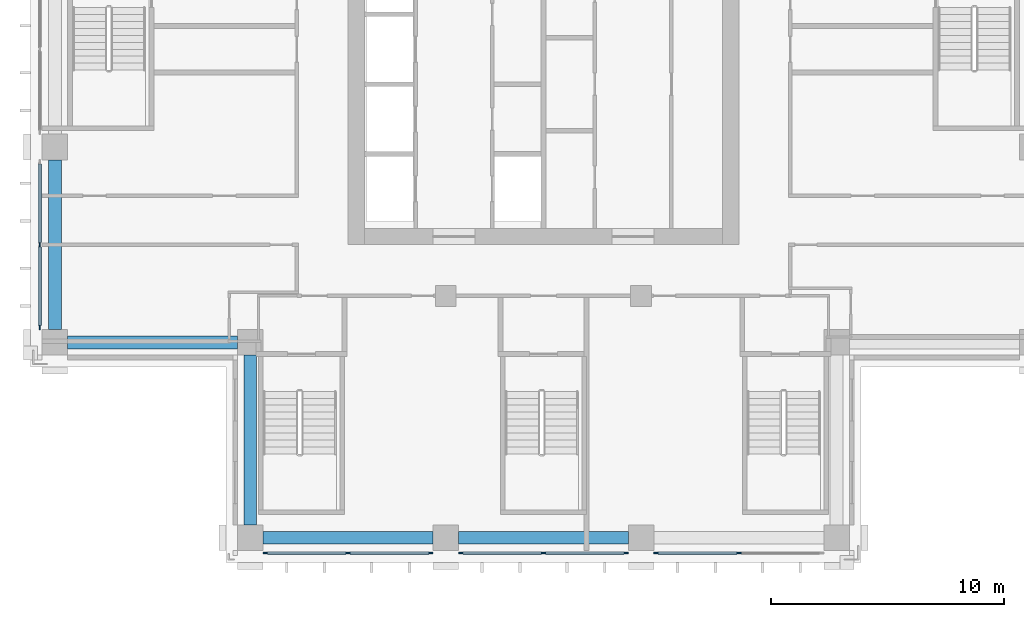
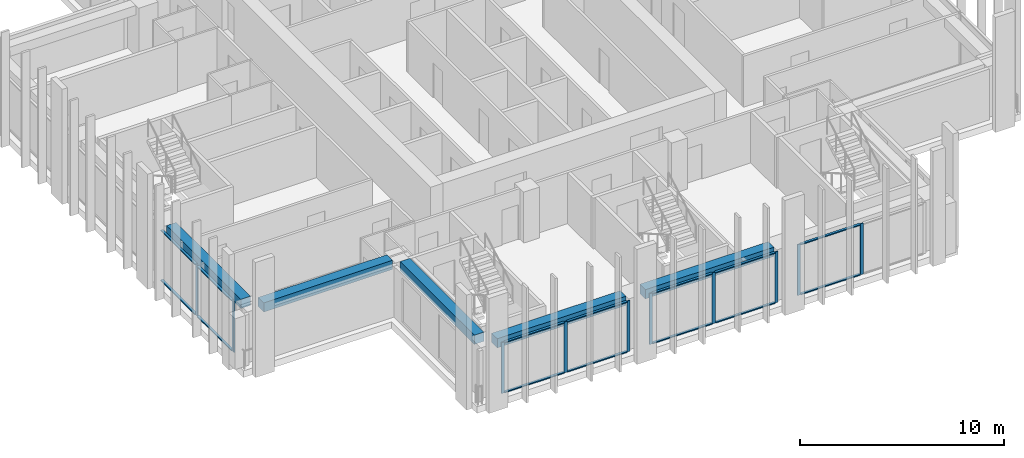
# One storey, part 2 of 17: 24 members, 5 beams, 4 elements without a shape of their own.
"""IFC4 building model written with IfcOpenShell, lengths in metres."""

from ifc_helpers import new_model, si_unit, direction, frame, origin, origin_2d, place, context, subcontext, project, spatial, rectangle, extrude, material, material_profile, profile_set, type_object, element, aggregate, save


model = new_model("IFC4")

# Units and contexts
model_context = context("Model", 3, precision=1e-05, world=origin(), true_north=direction((0.0, 1.0)))
body_context = subcontext(model_context, "Body", "Model", "MODEL_VIEW")
ifc_project = project(units=[si_unit("LENGTHUNIT", "METRE"), si_unit("AREAUNIT", "SQUARE_METRE"), si_unit("VOLUMEUNIT", "CUBIC_METRE"), si_unit("PLANEANGLEUNIT", "RADIAN"), si_unit("MASSUNIT", "GRAM", prefix="KILO")], contexts=[model_context])

# Site, building, storey
site_placement = place(None, origin())
site = spatial("IfcSite", under=ifc_project, at=site_placement, CompositionType="ELEMENT")
building_placement = place(site_placement, origin())
building = spatial("IfcBuilding", under=site, at=building_placement, Name="Vermilion Ogive Tower", CompositionType="ELEMENT")
storey_placement = place(building_placement, frame((0.0, 0.0, 157.25)))
storey = spatial("IfcBuildingStorey", under=building, at=storey_placement, Name="L40", CompositionType="ELEMENT", Elevation=157.25)

# Curtain wall, members
ifc_material_1 = material(Name="Low-iron laminated glazing in aluminium frame", Category="aluminium")
curtain_wall_type = type_object("IfcCurtainWallType", Name="Curtain wall CW7", PredefinedType="NOTDEFINED", material=ifc_material_1)
curtain_wall_1_placement = place(storey_placement, origin())
curtain_wall_1 = element("IfcCurtainWall", 1, at=curtain_wall_1_placement, inside=storey, type_object=curtain_wall_type, Name="Glazed skin S1", PredefinedType="NOTDEFINED")
ifc_material_2 = material(Name="Aluminium mullion", Category="aluminium")
ifc_material_profile_1 = material_profile(ifc_material_2, rectangle(XDim=0.06005859375, YDim=0.179931640625, at=origin_2d()), Name="AL 60x180")
ifc_profile_set_1 = profile_set([ifc_material_profile_1], Name="Aluminium mullion")
member_type_1 = type_object("IfcMemberType", Name="CW7 mullion 60x180", PredefinedType="MULLION", material=ifc_profile_set_1)
member_1_placement = place(storey_placement, frame((-11.9599609375, -21.64990234375, 0.0), z_axis=(0.0, 0.0, 1.0), x_axis=(0.0, 1.0, 0.0)))
member_1 = element("IfcMember", 2, at=member_1_placement, type_object=member_type_1, Name="CW7-S1 mullion 1", PredefinedType="MULLION", context=body_context, shape_type="SweptSolid", body=[
    extrude(rectangle(XDim=0.06005859375, YDim=0.179931640625, at=origin_2d()), origin(), (0.0, 0.0, 1.0), 3.050048828125),
])
member_2_placement = place(storey_placement, frame((-8.39990234375, -21.64990234375, 0.0), z_axis=(0.0, 0.0, 1.0), x_axis=(0.0, 1.0, 0.0)))
member_2 = element("IfcMember", 3, at=member_2_placement, type_object=member_type_1, Name="CW7-S1 mullion 2", PredefinedType="MULLION", context=body_context, shape_type="SweptSolid", body=[
    extrude(rectangle(XDim=0.06005859375, YDim=0.179931640625, at=origin_2d()), origin(), (0.0, 0.0, 1.0), 3.050048828125),
])
member_3_placement = place(storey_placement, frame((-4.840087890625, -21.64990234375, 0.0), z_axis=(0.0, 0.0, 1.0), x_axis=(0.0, 1.0, 0.0)))
member_3 = element("IfcMember", 4, at=member_3_placement, type_object=member_type_1, Name="CW7-S1 mullion 3", PredefinedType="MULLION", context=body_context, shape_type="SweptSolid", body=[
    extrude(rectangle(XDim=0.06005859375, YDim=0.179931640625, at=origin_2d()), origin(), (0.0, 0.0, 1.0), 3.050048828125),
])

curtain_wall_2_placement = place(storey_placement, origin())
curtain_wall_2 = element("IfcCurtainWall", 5, at=curtain_wall_2_placement, inside=storey, type_object=curtain_wall_type, Name="Glazed skin S2", PredefinedType="NOTDEFINED")
member_4_placement = place(storey_placement, frame((-3.56005859375, -21.64990234375, 0.0), z_axis=(0.0, 0.0, 1.0), x_axis=(0.0, 1.0, 0.0)))
member_4 = element("IfcMember", 6, at=member_4_placement, type_object=member_type_1, Name="CW7-S2 mullion 1", PredefinedType="MULLION", context=body_context, shape_type="SweptSolid", body=[
    extrude(rectangle(XDim=0.06005859375, YDim=0.179931640625, at=origin_2d()), origin(), (0.0, 0.0, 1.0), 3.050048828125),
])
member_5_placement = place(storey_placement, frame((0.0, -21.64990234375, 0.0), z_axis=(0.0, 0.0, 1.0), x_axis=(0.0, 1.0, 0.0)))
member_5 = element("IfcMember", 7, at=member_5_placement, type_object=member_type_1, Name="CW7-S2 mullion 2", PredefinedType="MULLION", context=body_context, shape_type="SweptSolid", body=[
    extrude(rectangle(XDim=0.06005859375, YDim=0.179931640625, at=origin_2d()), origin(), (0.0, 0.0, 1.0), 3.050048828125),
])
member_6_placement = place(storey_placement, frame((3.56005859375, -21.64990234375, 0.0), z_axis=(0.0, 0.0, 1.0), x_axis=(0.0, 1.0, 0.0)))
member_6 = element("IfcMember", 8, at=member_6_placement, type_object=member_type_1, Name="CW7-S2 mullion 3", PredefinedType="MULLION", context=body_context, shape_type="SweptSolid", body=[
    extrude(rectangle(XDim=0.06005859375, YDim=0.179931640625, at=origin_2d()), origin(), (0.0, 0.0, 1.0), 3.050048828125),
])

curtain_wall_3_placement = place(storey_placement, origin())
curtain_wall_3 = element("IfcCurtainWall", 9, at=curtain_wall_3_placement, inside=storey, type_object=curtain_wall_type, Name="Glazed skin S3", PredefinedType="NOTDEFINED")
member_7_placement = place(storey_placement, frame((4.840087890625, -21.64990234375, 0.0), z_axis=(0.0, 0.0, 1.0), x_axis=(0.0, 1.0, 0.0)))
member_7 = element("IfcMember", 10, at=member_7_placement, type_object=member_type_1, Name="CW7-S3 mullion 1", PredefinedType="MULLION", context=body_context, shape_type="SweptSolid", body=[
    extrude(rectangle(XDim=0.06005859375, YDim=0.179931640625, at=origin_2d()), origin(), (0.0, 0.0, 1.0), 3.050048828125),
])
member_8_placement = place(storey_placement, frame((8.39990234375, -21.64990234375, 0.0), z_axis=(0.0, 0.0, 1.0), x_axis=(0.0, 1.0, 0.0)))
member_8 = element("IfcMember", 11, at=member_8_placement, type_object=member_type_1, Name="CW7-S3 mullion 2", PredefinedType="MULLION", context=body_context, shape_type="SweptSolid", body=[
    extrude(rectangle(XDim=0.06005859375, YDim=0.179931640625, at=origin_2d()), origin(), (0.0, 0.0, 1.0), 3.050048828125),
])

curtain_wall_4_placement = place(storey_placement, origin())
curtain_wall_4 = element("IfcCurtainWall", 12, at=curtain_wall_4_placement, inside=storey, type_object=curtain_wall_type, Name="Glazed skin W3", PredefinedType="NOTDEFINED")
member_9_placement = place(storey_placement, frame((-21.64990234375, -8.39990234375, 0.0), z_axis=(0.0, 0.0, 1.0), x_axis=(1.0, 0.0, 0.0)))
member_9 = element("IfcMember", 13, at=member_9_placement, type_object=member_type_1, Name="CW7-W3 mullion 2", PredefinedType="MULLION", context=body_context, shape_type="SweptSolid", body=[
    extrude(rectangle(XDim=0.06005859375, YDim=0.179931640625, at=origin_2d()), origin(), (0.0, 0.0, 1.0), 3.050048828125),
])
member_10_placement = place(storey_placement, frame((-21.64990234375, -11.9599609375, 0.0), z_axis=(0.0, 0.0, 1.0), x_axis=(1.0, 0.0, 0.0)))
member_10 = element("IfcMember", 14, at=member_10_placement, type_object=member_type_1, Name="CW7-W3 mullion 3", PredefinedType="MULLION", context=body_context, shape_type="SweptSolid", body=[
    extrude(rectangle(XDim=0.06005859375, YDim=0.179931640625, at=origin_2d()), origin(), (0.0, 0.0, 1.0), 3.050048828125),
])

# Member
ifc_material_3 = material(Name="Aluminium transom", Category="aluminium")
ifc_material_profile_2 = material_profile(ifc_material_3, rectangle(XDim=0.139892578125, YDim=0.06005859375, at=origin_2d()), Name="AL 60x140")
ifc_profile_set_2 = profile_set([ifc_material_profile_2], Name="Aluminium transom")
member_type_2 = type_object("IfcMemberType", Name="CW7 transom 60x140", PredefinedType="USERDEFINED", material=ifc_profile_set_2)
member_11_placement = place(storey_placement, frame((-11.8701171875, -21.64990234375, 0.030029296875), z_axis=(1.0, 0.0, 0.0), x_axis=(0.0, 1.0, 0.0)))
member_11 = element("IfcMember", 15, at=member_11_placement, type_object=member_type_2, Name="CW7-S1 transom 1.1", ObjectType="TRANSOM", PredefinedType="USERDEFINED", context=body_context, shape_type="SweptSolid", body=[
    extrude(rectangle(XDim=0.139892578125, YDim=0.06005859375, at=origin_2d()), origin(), (0.0, 0.0, 1.0), 3.380126953125),
])

member_12_placement = place(storey_placement, frame((-11.8701171875, -21.64990234375, 3.02001953125), z_axis=(1.0, 0.0, 0.0), x_axis=(0.0, 1.0, 0.0)))
member_12 = element("IfcMember", 16, at=member_12_placement, type_object=member_type_2, Name="CW7-S1 transom 1.2", ObjectType="TRANSOM", PredefinedType="USERDEFINED", context=body_context, shape_type="SweptSolid", body=[
    extrude(rectangle(XDim=0.139892578125, YDim=0.06005859375, at=origin_2d()), origin(), (0.0, 0.0, 1.0), 3.380126953125),
])

member_13_placement = place(storey_placement, frame((-8.31005859375, -21.64990234375, 0.030029296875), z_axis=(1.0, 0.0, 0.0), x_axis=(0.0, 1.0, 0.0)))
member_13 = element("IfcMember", 17, at=member_13_placement, type_object=member_type_2, Name="CW7-S1 transom 2.1", ObjectType="TRANSOM", PredefinedType="USERDEFINED", context=body_context, shape_type="SweptSolid", body=[
    extrude(rectangle(XDim=0.139892578125, YDim=0.06005859375, at=origin_2d()), origin(), (0.0, 0.0, 1.0), 3.380126953125),
])

member_14_placement = place(storey_placement, frame((-8.31005859375, -21.64990234375, 3.02001953125), z_axis=(1.0, 0.0, 0.0), x_axis=(0.0, 1.0, 0.0)))
member_14 = element("IfcMember", 18, at=member_14_placement, type_object=member_type_2, Name="CW7-S1 transom 2.2", ObjectType="TRANSOM", PredefinedType="USERDEFINED", context=body_context, shape_type="SweptSolid", body=[
    extrude(rectangle(XDim=0.139892578125, YDim=0.06005859375, at=origin_2d()), origin(), (0.0, 0.0, 1.0), 3.380126953125),
])

aggregate(curtain_wall_1, [member_1, member_2, member_3, member_11, member_12, member_13, member_14])

member_15_placement = place(storey_placement, frame((-3.469970703125, -21.64990234375, 0.030029296875), z_axis=(1.0, 0.0, 0.0), x_axis=(0.0, 1.0, 0.0)))
member_15 = element("IfcMember", 19, at=member_15_placement, type_object=member_type_2, Name="CW7-S2 transom 1.1", ObjectType="TRANSOM", PredefinedType="USERDEFINED", context=body_context, shape_type="SweptSolid", body=[
    extrude(rectangle(XDim=0.139892578125, YDim=0.06005859375, at=origin_2d()), origin(), (0.0, 0.0, 1.0), 3.3798828125),
])

member_16_placement = place(storey_placement, frame((-3.469970703125, -21.64990234375, 3.02001953125), z_axis=(1.0, 0.0, 0.0), x_axis=(0.0, 1.0, 0.0)))
member_16 = element("IfcMember", 20, at=member_16_placement, type_object=member_type_2, Name="CW7-S2 transom 1.2", ObjectType="TRANSOM", PredefinedType="USERDEFINED", context=body_context, shape_type="SweptSolid", body=[
    extrude(rectangle(XDim=0.139892578125, YDim=0.06005859375, at=origin_2d()), origin(), (0.0, 0.0, 1.0), 3.3798828125),
])

member_17_placement = place(storey_placement, frame((0.090087890625, -21.64990234375, 0.030029296875), z_axis=(1.0, 0.0, 0.0), x_axis=(0.0, 1.0, 0.0)))
member_17 = element("IfcMember", 21, at=member_17_placement, type_object=member_type_2, Name="CW7-S2 transom 2.1", ObjectType="TRANSOM", PredefinedType="USERDEFINED", context=body_context, shape_type="SweptSolid", body=[
    extrude(rectangle(XDim=0.139892578125, YDim=0.06005859375, at=origin_2d()), origin(), (0.0, 0.0, 1.0), 3.3798828125),
])

member_18_placement = place(storey_placement, frame((0.090087890625, -21.64990234375, 3.02001953125), z_axis=(1.0, 0.0, 0.0), x_axis=(0.0, 1.0, 0.0)))
member_18 = element("IfcMember", 22, at=member_18_placement, type_object=member_type_2, Name="CW7-S2 transom 2.2", ObjectType="TRANSOM", PredefinedType="USERDEFINED", context=body_context, shape_type="SweptSolid", body=[
    extrude(rectangle(XDim=0.139892578125, YDim=0.06005859375, at=origin_2d()), origin(), (0.0, 0.0, 1.0), 3.3798828125),
])

aggregate(curtain_wall_2, [member_4, member_5, member_6, member_15, member_16, member_17, member_18])

member_19_placement = place(storey_placement, frame((4.929931640625, -21.64990234375, 0.030029296875), z_axis=(1.0, 0.0, 0.0), x_axis=(0.0, 1.0, 0.0)))
member_19 = element("IfcMember", 23, at=member_19_placement, type_object=member_type_2, Name="CW7-S3 transom 1.1", ObjectType="TRANSOM", PredefinedType="USERDEFINED", context=body_context, shape_type="SweptSolid", body=[
    extrude(rectangle(XDim=0.139892578125, YDim=0.06005859375, at=origin_2d()), origin(), (0.0, 0.0, 1.0), 3.380126953125),
])

member_20_placement = place(storey_placement, frame((4.929931640625, -21.64990234375, 3.02001953125), z_axis=(1.0, 0.0, 0.0), x_axis=(0.0, 1.0, 0.0)))
member_20 = element("IfcMember", 24, at=member_20_placement, type_object=member_type_2, Name="CW7-S3 transom 1.2", ObjectType="TRANSOM", PredefinedType="USERDEFINED", context=body_context, shape_type="SweptSolid", body=[
    extrude(rectangle(XDim=0.139892578125, YDim=0.06005859375, at=origin_2d()), origin(), (0.0, 0.0, 1.0), 3.380126953125),
])

aggregate(curtain_wall_3, [member_7, member_8, member_19, member_20])

member_21_placement = place(storey_placement, frame((-21.64990234375, -4.929931640625, 0.030029296875), z_axis=(0.0, -1.0, 0.0), x_axis=(1.0, 0.0, 0.0)))
member_21 = element("IfcMember", 25, at=member_21_placement, type_object=member_type_2, Name="CW7-W3 transom 1.1", ObjectType="TRANSOM", PredefinedType="USERDEFINED", context=body_context, shape_type="SweptSolid", body=[
    extrude(rectangle(XDim=0.139892578125, YDim=0.06005859375, at=origin_2d()), origin(), (0.0, 0.0, 1.0), 3.380126953125),
])

member_22_placement = place(storey_placement, frame((-21.64990234375, -4.929931640625, 3.02001953125), z_axis=(0.0, -1.0, 0.0), x_axis=(1.0, 0.0, 0.0)))
member_22 = element("IfcMember", 26, at=member_22_placement, type_object=member_type_2, Name="CW7-W3 transom 1.2", ObjectType="TRANSOM", PredefinedType="USERDEFINED", context=body_context, shape_type="SweptSolid", body=[
    extrude(rectangle(XDim=0.139892578125, YDim=0.06005859375, at=origin_2d()), origin(), (0.0, 0.0, 1.0), 3.380126953125),
])

member_23_placement = place(storey_placement, frame((-21.64990234375, -8.489990234375, 0.030029296875), z_axis=(0.0, -1.0, 0.0), x_axis=(1.0, 0.0, 0.0)))
member_23 = element("IfcMember", 27, at=member_23_placement, type_object=member_type_2, Name="CW7-W3 transom 2.1", ObjectType="TRANSOM", PredefinedType="USERDEFINED", context=body_context, shape_type="SweptSolid", body=[
    extrude(rectangle(XDim=0.139892578125, YDim=0.06005859375, at=origin_2d()), origin(), (0.0, 0.0, 1.0), 3.380126953125),
])

member_24_placement = place(storey_placement, frame((-21.64990234375, -8.489990234375, 3.02001953125), z_axis=(0.0, -1.0, 0.0), x_axis=(1.0, 0.0, 0.0)))
member_24 = element("IfcMember", 28, at=member_24_placement, type_object=member_type_2, Name="CW7-W3 transom 2.2", ObjectType="TRANSOM", PredefinedType="USERDEFINED", context=body_context, shape_type="SweptSolid", body=[
    extrude(rectangle(XDim=0.139892578125, YDim=0.06005859375, at=origin_2d()), origin(), (0.0, 0.0, 1.0), 3.380126953125),
])

aggregate(curtain_wall_4, [member_9, member_10, member_21, member_22, member_23, member_24])

# Beams
ifc_material_4 = material(Name="Concrete B45", Category="concrete")
ifc_material_profile_3 = material_profile(ifc_material_4, rectangle(XDim=0.550048828125, YDim=0.550048828125, at=origin_2d()), Name="550 x 550")
ifc_profile_set_3 = profile_set([ifc_material_profile_3], Name="Concrete B45")
beam_type = type_object("IfcBeamType", Name="Edge beam 550 x 550 B45", PredefinedType="BEAM", material=ifc_profile_set_3)
beam_1_placement = place(storey_placement, frame((-12.050048828125, -21.0, 2.77490234375), z_axis=(1.0, 0.0, 0.0), x_axis=(0.0, 1.0, 0.0)))
element("IfcBeam", 29, at=beam_1_placement, inside=storey, type_object=beam_type, Name="L40-EB-1", PredefinedType="BEAM", context=body_context, shape_type="SweptSolid", body=[
    extrude(rectangle(XDim=0.550048828125, YDim=0.550048828125, at=origin_2d()), origin(), (0.0, 0.0, 1.0), 7.300048828125),
])
beam_2_placement = place(storey_placement, frame((-3.64990234375, -21.0, 2.77490234375), z_axis=(1.0, 0.0, 0.0), x_axis=(0.0, 1.0, 0.0)))
element("IfcBeam", 30, at=beam_2_placement, inside=storey, type_object=beam_type, Name="L40-EB-2", PredefinedType="BEAM", context=body_context, shape_type="SweptSolid", body=[
    extrude(rectangle(XDim=0.550048828125, YDim=0.550048828125, at=origin_2d()), origin(), (0.0, 0.0, 1.0), 7.2998046875),
])
for number, where, z_axis, x_axis, name in (
    (31, (-21.0, -4.75, 2.77490234375), (0.0, -1.0, 0.0), (1.0, 0.0, 0.0), "L40-EB-15"),
    (32, (-20.449951171875, -12.60009765625, 2.77490234375), (1.0, 0.0, 0.0), (0.0, 1.0, 0.0), "L40-EB-16"),
    (33, (-12.60009765625, -13.14990234375, 2.77490234375), (0.0, -1.0, 0.0), (1.0, 0.0, 0.0), "L40-EB-17"),
):
    element("IfcBeam", number, at=place(storey_placement, frame(where, z_axis=z_axis, x_axis=x_axis)), inside=storey, type_object=beam_type, Name=name, PredefinedType="BEAM", context=body_context, shape_type="SweptSolid", body=[
        extrude(rectangle(XDim=0.550048828125, YDim=0.550048828125, at=origin_2d()), origin(), (0.0, 0.0, 1.0), 7.300048828125),
    ])

save(model, "model.ifc")
